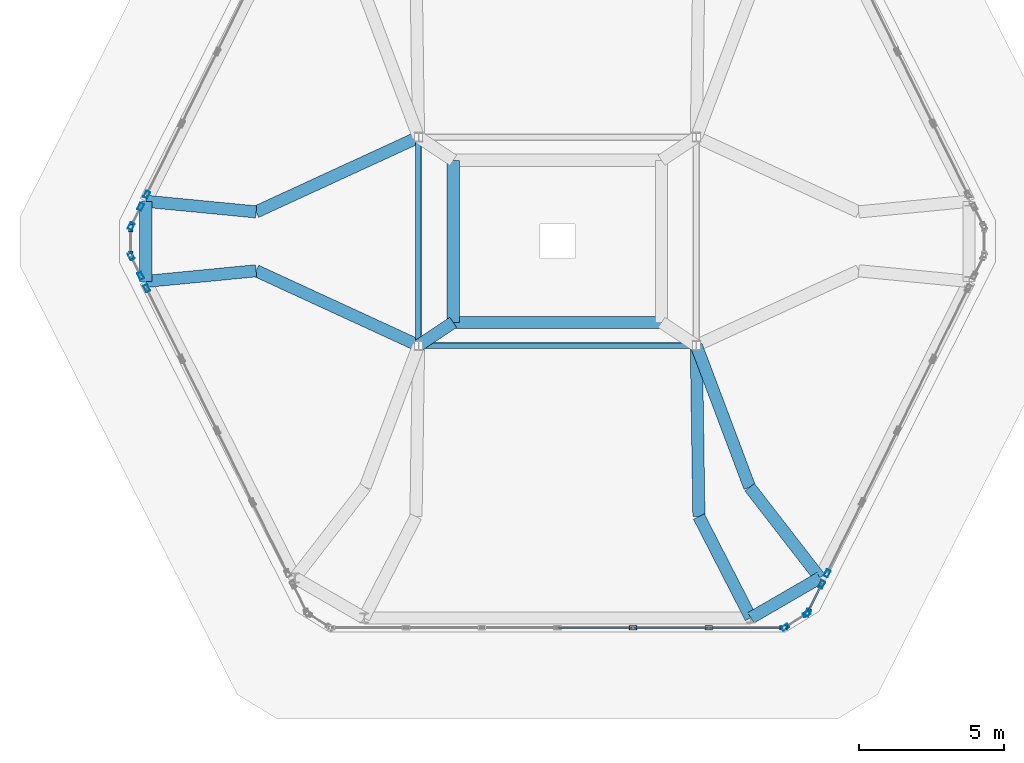
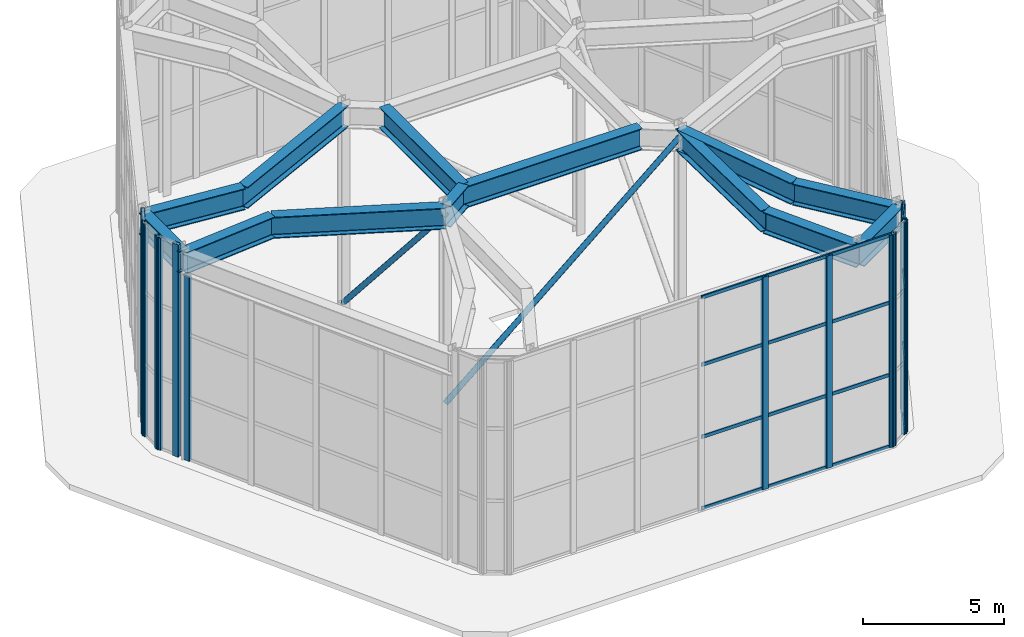
# One storey, part 3 of 10: 34 members, 13 beams, 9 elements without a shape of their own.
"""IFC4 building model written with IfcOpenShell, lengths in metres."""

from ifc_helpers import new_model, si_unit, direction, frame, origin, origin_2d, place, context, subcontext, project, spatial, hollow_rectangle, hollow_circle, i_section, extrude, material, layer, layer_set, material_profile, profile_set, type_object, element, aggregate, save


model = new_model("IFC4")

# Units and contexts
model_context = context("Model", 3, precision=1e-05, world=origin(), true_north=direction((0.0, 1.0)))
body_context = subcontext(model_context, "Body", "Model", "MODEL_VIEW")
ifc_project = project(units=[si_unit("LENGTHUNIT", "METRE"), si_unit("AREAUNIT", "SQUARE_METRE"), si_unit("VOLUMEUNIT", "CUBIC_METRE"), si_unit("PLANEANGLEUNIT", "RADIAN"), si_unit("MASSUNIT", "GRAM", prefix="KILO")], contexts=[model_context])

# Site, building, storey
site_placement = place(None, origin())
site = spatial("IfcSite", under=ifc_project, at=site_placement, CompositionType="ELEMENT")
building_placement = place(site_placement, origin())
building = spatial("IfcBuilding", under=site, at=building_placement, Name="Cinnabar Lancet Tower", CompositionType="ELEMENT")
storey_placement = place(building_placement, frame((0.0, 0.0, 314.675048828125)))
storey = spatial("IfcBuildingStorey", under=building, at=storey_placement, Name="L81", CompositionType="ELEMENT", Elevation=314.675048828125)

# Curtain wall, members
ifc_material_1 = material(Name="Thermally broken bronze-anodized aluminium and low-E glass", Category="aluminium")
ifc_layer = layer(ifc_material_1, 0.179931640625)
ifc_layer_set = layer_set([ifc_layer], Name="Thermally broken bronze-anodized aluminium and low-E glass")
curtain_wall_type = type_object("IfcCurtainWallType", Name="ENV-CW-SYS-05", PredefinedType="NOTDEFINED", material=ifc_layer_set)
curtain_wall_1_placement = place(storey_placement, origin())
curtain_wall_1 = element("IfcCurtainWall", 1, at=curtain_wall_1_placement, inside=storey, type_object=curtain_wall_type, Name="L81 Faceted Lancet Crown Curtain Wall 2", PredefinedType="NOTDEFINED")
ifc_material_2 = material(Name="Anodized architectural aluminium 6063-T6", Category="aluminium")
ifc_material_profile_1 = material_profile(ifc_material_2, hollow_rectangle(XDim=0.14990234375, YDim=0.25, WallThickness=0.010009765625, InnerFilletRadius=0.0048828125, OuterFilletRadius=0.014892578125, at=origin_2d()), Name="RHS 250x150x10")
ifc_profile_set_1 = profile_set([ifc_material_profile_1], Name="Anodized architectural aluminium 6063-T6")
member_type_1 = type_object("IfcMemberType", Name="ENV-CW-MUL-260", PredefinedType="MULLION", material=ifc_profile_set_1)
member_1_placement = place(storey_placement, frame((35.0146484375, 12.449951171875, 0.0), z_axis=(0.0, 0.0, 1.0), x_axis=(0.0, 1.0, 0.0)))
member_1 = element("IfcMember", 2, at=member_1_placement, type_object=member_type_1, Name="CW-05 mullion 5", PredefinedType="MULLION", context=body_context, shape_type="SweptSolid", body=[
    extrude(hollow_rectangle(XDim=0.14990234375, YDim=0.25, WallThickness=0.010009765625, InnerFilletRadius=0.0048828125, OuterFilletRadius=0.014892578125, at=origin_2d()), origin(), (0.0, 0.0, 1.0), 9.175048828125),
])
member_2_placement = place(storey_placement, frame((37.62939453125, 12.449951171875, 0.0), z_axis=(0.0, 0.0, 1.0), x_axis=(0.0, 1.0, 0.0)))
member_2 = element("IfcMember", 3, at=member_2_placement, type_object=member_type_1, Name="CW-05 mullion 6", PredefinedType="MULLION", context=body_context, shape_type="SweptSolid", body=[
    extrude(hollow_rectangle(XDim=0.14990234375, YDim=0.25, WallThickness=0.010009765625, InnerFilletRadius=0.0048828125, OuterFilletRadius=0.014892578125, at=origin_2d()), origin(), (0.0, 0.0, 1.0), 9.175048828125),
])
member_3_placement = place(storey_placement, frame((40.214111328125, 12.449951171875, 0.0), z_axis=(0.0, 0.0, 1.0), x_axis=(0.0, 1.0, 0.0)))
member_3 = element("IfcMember", 4, at=member_3_placement, type_object=member_type_1, Name="CW-05 mullion 7", PredefinedType="MULLION", context=body_context, shape_type="SweptSolid", body=[
    extrude(hollow_rectangle(XDim=0.14990234375, YDim=0.25, WallThickness=0.010009765625, InnerFilletRadius=0.0048828125, OuterFilletRadius=0.014892578125, at=origin_2d()), origin(), (0.0, 0.0, 1.0), 9.175048828125),
])

curtain_wall_2_placement = place(storey_placement, origin())
curtain_wall_2 = element("IfcCurtainWall", 5, at=curtain_wall_2_placement, inside=storey, type_object=curtain_wall_type, Name="L81 Faceted Lancet Crown Curtain Wall 3", PredefinedType="NOTDEFINED")
member_4_placement = place(storey_placement, frame((40.26953125, 12.4658203125, 0.0), z_axis=(0.0, 0.0, 1.0), x_axis=(-0.527975874925, 0.849259368802, 0.0)))
member_4 = element("IfcMember", 6, at=member_4_placement, type_object=member_type_1, Name="CW-05 mullion 1", PredefinedType="MULLION", context=body_context, shape_type="SweptSolid", body=[
    extrude(hollow_rectangle(XDim=0.14990234375, YDim=0.25, WallThickness=0.010009765625, InnerFilletRadius=0.0048828125, OuterFilletRadius=0.014892578125, at=origin_2d()), origin(), (0.0, 0.0, 1.0), 9.175048828125),
])
member_5_placement = place(storey_placement, frame((41.011474609375, 12.92724609375, 0.0), z_axis=(0.0, 0.0, 1.0), x_axis=(-0.527975874925, 0.849259368802, 0.0)))
member_5 = element("IfcMember", 7, at=member_5_placement, type_object=member_type_1, Name="CW-05 mullion 2", PredefinedType="MULLION", context=body_context, shape_type="SweptSolid", body=[
    extrude(hollow_rectangle(XDim=0.14990234375, YDim=0.25, WallThickness=0.010009765625, InnerFilletRadius=0.0048828125, OuterFilletRadius=0.014892578125, at=origin_2d()), origin(), (0.0, 0.0, 1.0), 9.175048828125),
])
aggregate(curtain_wall_2, [member_4, member_5])

curtain_wall_3_placement = place(storey_placement, origin())
curtain_wall_3 = element("IfcCurtainWall", 8, at=curtain_wall_3_placement, inside=storey, type_object=curtain_wall_type, Name="L81 Faceted Lancet Crown Curtain Wall 4", PredefinedType="NOTDEFINED")
member_6_placement = place(storey_placement, frame((41.05029296875, 12.969970703125, 0.0), z_axis=(0.0, 0.0, 1.0), x_axis=(-0.896342772424, 0.443361742062, 0.0)))
member_6 = element("IfcMember", 9, at=member_6_placement, type_object=member_type_1, Name="CW-05 mullion 1", PredefinedType="MULLION", context=body_context, shape_type="SweptSolid", body=[
    extrude(hollow_rectangle(XDim=0.14990234375, YDim=0.25, WallThickness=0.010009765625, InnerFilletRadius=0.0048828125, OuterFilletRadius=0.014892578125, at=origin_2d()), origin(), (0.0, 0.0, 1.0), 9.175048828125),
])
member_7_placement = place(storey_placement, frame((41.53076171875, 13.941162109375, 0.0), z_axis=(0.0, 0.0, 1.0), x_axis=(-0.896342772424, 0.443361742062, 0.0)))
member_7 = element("IfcMember", 10, at=member_7_placement, type_object=member_type_1, Name="CW-05 mullion 2", PredefinedType="MULLION", context=body_context, shape_type="SweptSolid", body=[
    extrude(hollow_rectangle(XDim=0.14990234375, YDim=0.25, WallThickness=0.010009765625, InnerFilletRadius=0.0048828125, OuterFilletRadius=0.014892578125, at=origin_2d()), origin(), (0.0, 0.0, 1.0), 9.175048828125),
])

# Curtain wall, member
curtain_wall_4_placement = place(storey_placement, origin())
curtain_wall_4 = element("IfcCurtainWall", 11, at=curtain_wall_4_placement, inside=storey, type_object=curtain_wall_type, Name="L81 Faceted Lancet Crown Curtain Wall 5", PredefinedType="NOTDEFINED")
member_8_placement = place(storey_placement, frame((41.72021484375, 14.325927734375, 0.0), z_axis=(0.0, 0.0, 1.0), x_axis=(-0.896551648599, 0.442939207335, 0.0)))
member_8 = element("IfcMember", 12, at=member_8_placement, type_object=member_type_1, Name="CW-05 mullion 1", PredefinedType="MULLION", context=body_context, shape_type="SweptSolid", body=[
    extrude(hollow_rectangle(XDim=0.14990234375, YDim=0.25, WallThickness=0.010009765625, InnerFilletRadius=0.0048828125, OuterFilletRadius=0.014892578125, at=origin_2d()), origin(), (0.0, 0.0, 1.0), 7.993896484375),
])
aggregate(curtain_wall_4, [member_8])

curtain_wall_5_placement = place(storey_placement, origin())
curtain_wall_5 = element("IfcCurtainWall", 13, at=curtain_wall_5_placement, inside=storey, type_object=curtain_wall_type, Name="L81 Faceted Lancet Crown Curtain Wall 15", PredefinedType="NOTDEFINED")
member_9_placement = place(storey_placement, frame((18.209228515625, 27.416015625, 0.0), z_axis=(0.0, 0.0, 1.0), x_axis=(0.896551648599, -0.442939207335, 0.0)))
member_9 = element("IfcMember", 14, at=member_9_placement, type_object=member_type_1, Name="CW-05 mullion 5", PredefinedType="MULLION", context=body_context, shape_type="SweptSolid", body=[
    extrude(hollow_rectangle(XDim=0.14990234375, YDim=0.25, WallThickness=0.010009765625, InnerFilletRadius=0.0048828125, OuterFilletRadius=0.014892578125, at=origin_2d()), origin(), (0.0, 0.0, 1.0), 7.993896484375),
])
aggregate(curtain_wall_5, [member_9])

# Curtain wall, members
curtain_wall_6_placement = place(storey_placement, origin())
curtain_wall_6 = element("IfcCurtainWall", 15, at=curtain_wall_6_placement, inside=storey, type_object=curtain_wall_type, Name="L81 Faceted Lancet Crown Curtain Wall 16", PredefinedType="NOTDEFINED")
member_10_placement = place(storey_placement, frame((18.000732421875, 26.9931640625, 0.0), z_axis=(0.0, 0.0, 1.0), x_axis=(0.89663617767, -0.442768071222, 0.0)))
member_10 = element("IfcMember", 16, at=member_10_placement, type_object=member_type_1, Name="CW-05 mullion 1", PredefinedType="MULLION", context=body_context, shape_type="SweptSolid", body=[
    extrude(hollow_rectangle(XDim=0.14990234375, YDim=0.25, WallThickness=0.010009765625, InnerFilletRadius=0.0048828125, OuterFilletRadius=0.014892578125, at=origin_2d()), origin(), (0.0, 0.0, 1.0), 9.175048828125),
])
member_11_placement = place(storey_placement, frame((17.668212890625, 26.31982421875, 0.0), z_axis=(0.0, 0.0, 1.0), x_axis=(0.89663617767, -0.442768071222, 0.0)))
member_11 = element("IfcMember", 17, at=member_11_placement, type_object=member_type_1, Name="CW-05 mullion 2", PredefinedType="MULLION", context=body_context, shape_type="SweptSolid", body=[
    extrude(hollow_rectangle(XDim=0.14990234375, YDim=0.25, WallThickness=0.010009765625, InnerFilletRadius=0.0048828125, OuterFilletRadius=0.014892578125, at=origin_2d()), origin(), (0.0, 0.0, 1.0), 9.175048828125),
])
aggregate(curtain_wall_6, [member_10, member_11])

curtain_wall_7_placement = place(storey_placement, origin())
curtain_wall_7 = element("IfcCurtainWall", 18, at=curtain_wall_7_placement, inside=storey, type_object=curtain_wall_type, Name="L81 Faceted Lancet Crown Curtain Wall 17", PredefinedType="NOTDEFINED")
member_12_placement = place(storey_placement, frame((17.655029296875, 26.262939453125, 0.0), z_axis=(0.0, 0.0, 1.0), x_axis=(1.0, 0.0, 0.0)))
member_12 = element("IfcMember", 19, at=member_12_placement, type_object=member_type_1, Name="CW-05 mullion 1", PredefinedType="MULLION", context=body_context, shape_type="SweptSolid", body=[
    extrude(hollow_rectangle(XDim=0.14990234375, YDim=0.25, WallThickness=0.010009765625, InnerFilletRadius=0.0048828125, OuterFilletRadius=0.014892578125, at=origin_2d()), origin(), (0.0, 0.0, 1.0), 9.175048828125),
])
member_13_placement = place(storey_placement, frame((17.655029296875, 25.3369140625, 0.0), z_axis=(0.0, 0.0, 1.0), x_axis=(1.0, 0.0, 0.0)))
member_13 = element("IfcMember", 20, at=member_13_placement, type_object=member_type_1, Name="CW-05 mullion 2", PredefinedType="MULLION", context=body_context, shape_type="SweptSolid", body=[
    extrude(hollow_rectangle(XDim=0.14990234375, YDim=0.25, WallThickness=0.010009765625, InnerFilletRadius=0.0048828125, OuterFilletRadius=0.014892578125, at=origin_2d()), origin(), (0.0, 0.0, 1.0), 9.175048828125),
])
aggregate(curtain_wall_7, [member_12, member_13])

curtain_wall_8_placement = place(storey_placement, origin())
curtain_wall_8 = element("IfcCurtainWall", 21, at=curtain_wall_8_placement, inside=storey, type_object=curtain_wall_type, Name="L81 Faceted Lancet Crown Curtain Wall 18", PredefinedType="NOTDEFINED")
member_14_placement = place(storey_placement, frame((17.668212890625, 25.280029296875, 0.0), z_axis=(0.0, 0.0, 1.0), x_axis=(0.89663617767, 0.442768071222, 0.0)))
member_14 = element("IfcMember", 22, at=member_14_placement, type_object=member_type_1, Name="CW-05 mullion 1", PredefinedType="MULLION", context=body_context, shape_type="SweptSolid", body=[
    extrude(hollow_rectangle(XDim=0.14990234375, YDim=0.25, WallThickness=0.010009765625, InnerFilletRadius=0.0048828125, OuterFilletRadius=0.014892578125, at=origin_2d()), origin(), (0.0, 0.0, 1.0), 9.175048828125),
])
member_15_placement = place(storey_placement, frame((18.000732421875, 24.60693359375, 0.0), z_axis=(0.0, 0.0, 1.0), x_axis=(0.89663617767, 0.442768071222, 0.0)))
member_15 = element("IfcMember", 23, at=member_15_placement, type_object=member_type_1, Name="CW-05 mullion 2", PredefinedType="MULLION", context=body_context, shape_type="SweptSolid", body=[
    extrude(hollow_rectangle(XDim=0.14990234375, YDim=0.25, WallThickness=0.010009765625, InnerFilletRadius=0.0048828125, OuterFilletRadius=0.014892578125, at=origin_2d()), origin(), (0.0, 0.0, 1.0), 9.175048828125),
])
aggregate(curtain_wall_8, [member_14, member_15])

# Curtain wall, member
curtain_wall_9_placement = place(storey_placement, origin())
curtain_wall_9 = element("IfcCurtainWall", 24, at=curtain_wall_9_placement, inside=storey, type_object=curtain_wall_type, Name="L81 Faceted Lancet Crown Curtain Wall 19", PredefinedType="NOTDEFINED")
member_16_placement = place(storey_placement, frame((18.209228515625, 24.18408203125, 0.0), z_axis=(0.0, 0.0, 1.0), x_axis=(0.896551648599, 0.442939207335, 0.0)))
member_16 = element("IfcMember", 25, at=member_16_placement, type_object=member_type_1, Name="CW-05 mullion 1", PredefinedType="MULLION", context=body_context, shape_type="SweptSolid", body=[
    extrude(hollow_rectangle(XDim=0.14990234375, YDim=0.25, WallThickness=0.010009765625, InnerFilletRadius=0.0048828125, OuterFilletRadius=0.014892578125, at=origin_2d()), origin(), (0.0, 0.0, 1.0), 7.993896484375),
])
aggregate(curtain_wall_9, [member_16])

# Member
ifc_material_3 = material(Name="Anodized architectural aluminium 6063-T6", Category="aluminium")
ifc_material_profile_2 = material_profile(ifc_material_3, hollow_rectangle(XDim=0.06494140625, YDim=0.14990234375, WallThickness=0.00390625, InnerFilletRadius=0.001953125, OuterFilletRadius=0.006103515625, at=origin_2d()), Name="CW-TRN 150x65x4")
ifc_profile_set_2 = profile_set([ifc_material_profile_2], Name="Anodized architectural aluminium 6063-T6")
member_type_2 = type_object("IfcMemberType", Name="ENV-CW-TRN-160", PredefinedType="USERDEFINED", material=ifc_profile_set_2)
member_17_placement = place(storey_placement, frame((32.429931640625, 12.449951171875, 0.030029296875), z_axis=(1.0, 0.0, 0.0), x_axis=(0.0, 1.0, 0.0)))
member_17 = element("IfcMember", 26, at=member_17_placement, type_object=member_type_2, Name="CW-05 transom 4.1", ObjectType="TRANSOM", PredefinedType="USERDEFINED", context=body_context, shape_type="SweptSolid", body=[
    extrude(hollow_rectangle(XDim=0.06494140625, YDim=0.14990234375, WallThickness=0.00390625, InnerFilletRadius=0.001953125, OuterFilletRadius=0.006103515625, at=origin_2d()), origin(), (0.0, 0.0, 1.0), 2.5546875),
])

member_18_placement = place(storey_placement, frame((32.429931640625, 12.449951171875, 3.119873046875), z_axis=(1.0, 0.0, 0.0), x_axis=(0.0, 1.0, 0.0)))
member_18 = element("IfcMember", 27, at=member_18_placement, type_object=member_type_2, Name="CW-05 transom 4.2", ObjectType="TRANSOM", PredefinedType="USERDEFINED", context=body_context, shape_type="SweptSolid", body=[
    extrude(hollow_rectangle(XDim=0.06494140625, YDim=0.14990234375, WallThickness=0.00390625, InnerFilletRadius=0.001953125, OuterFilletRadius=0.006103515625, at=origin_2d()), origin(), (0.0, 0.0, 1.0), 2.5546875),
])

member_19_placement = place(storey_placement, frame((32.429931640625, 12.449951171875, 6.239013671875), z_axis=(1.0, 0.0, 0.0), x_axis=(0.0, 1.0, 0.0)))
member_19 = element("IfcMember", 28, at=member_19_placement, type_object=member_type_2, Name="CW-05 transom 4.3", ObjectType="TRANSOM", PredefinedType="USERDEFINED", context=body_context, shape_type="SweptSolid", body=[
    extrude(hollow_rectangle(XDim=0.06494140625, YDim=0.14990234375, WallThickness=0.00390625, InnerFilletRadius=0.001953125, OuterFilletRadius=0.006103515625, at=origin_2d()), origin(), (0.0, 0.0, 1.0), 2.5546875),
])

member_20_placement = place(storey_placement, frame((32.429931640625, 12.449951171875, 9.14501953125), z_axis=(1.0, 0.0, 0.0), x_axis=(0.0, 1.0, 0.0)))
member_20 = element("IfcMember", 29, at=member_20_placement, type_object=member_type_2, Name="CW-05 transom 4.4", ObjectType="TRANSOM", PredefinedType="USERDEFINED", context=body_context, shape_type="SweptSolid", body=[
    extrude(hollow_rectangle(XDim=0.06494140625, YDim=0.14990234375, WallThickness=0.00390625, InnerFilletRadius=0.001953125, OuterFilletRadius=0.006103515625, at=origin_2d()), origin(), (0.0, 0.0, 1.0), 2.5546875),
])

member_21_placement = place(storey_placement, frame((35.044677734375, 12.449951171875, 0.030029296875), z_axis=(1.0, 0.0, 0.0), x_axis=(0.0, 1.0, 0.0)))
member_21 = element("IfcMember", 30, at=member_21_placement, type_object=member_type_2, Name="CW-05 transom 5.1", ObjectType="TRANSOM", PredefinedType="USERDEFINED", context=body_context, shape_type="SweptSolid", body=[
    extrude(hollow_rectangle(XDim=0.06494140625, YDim=0.14990234375, WallThickness=0.00390625, InnerFilletRadius=0.001953125, OuterFilletRadius=0.006103515625, at=origin_2d()), origin(), (0.0, 0.0, 1.0), 2.5546875),
])

member_22_placement = place(storey_placement, frame((35.044677734375, 12.449951171875, 3.119873046875), z_axis=(1.0, 0.0, 0.0), x_axis=(0.0, 1.0, 0.0)))
member_22 = element("IfcMember", 31, at=member_22_placement, type_object=member_type_2, Name="CW-05 transom 5.2", ObjectType="TRANSOM", PredefinedType="USERDEFINED", context=body_context, shape_type="SweptSolid", body=[
    extrude(hollow_rectangle(XDim=0.06494140625, YDim=0.14990234375, WallThickness=0.00390625, InnerFilletRadius=0.001953125, OuterFilletRadius=0.006103515625, at=origin_2d()), origin(), (0.0, 0.0, 1.0), 2.5546875),
])

member_23_placement = place(storey_placement, frame((35.044677734375, 12.449951171875, 6.239013671875), z_axis=(1.0, 0.0, 0.0), x_axis=(0.0, 1.0, 0.0)))
member_23 = element("IfcMember", 32, at=member_23_placement, type_object=member_type_2, Name="CW-05 transom 5.3", ObjectType="TRANSOM", PredefinedType="USERDEFINED", context=body_context, shape_type="SweptSolid", body=[
    extrude(hollow_rectangle(XDim=0.06494140625, YDim=0.14990234375, WallThickness=0.00390625, InnerFilletRadius=0.001953125, OuterFilletRadius=0.006103515625, at=origin_2d()), origin(), (0.0, 0.0, 1.0), 2.5546875),
])

member_24_placement = place(storey_placement, frame((35.044677734375, 12.449951171875, 9.14501953125), z_axis=(1.0, 0.0, 0.0), x_axis=(0.0, 1.0, 0.0)))
member_24 = element("IfcMember", 33, at=member_24_placement, type_object=member_type_2, Name="CW-05 transom 5.4", ObjectType="TRANSOM", PredefinedType="USERDEFINED", context=body_context, shape_type="SweptSolid", body=[
    extrude(hollow_rectangle(XDim=0.06494140625, YDim=0.14990234375, WallThickness=0.00390625, InnerFilletRadius=0.001953125, OuterFilletRadius=0.006103515625, at=origin_2d()), origin(), (0.0, 0.0, 1.0), 2.5546875),
])

member_25_placement = place(storey_placement, frame((37.659423828125, 12.449951171875, 0.030029296875), z_axis=(1.0, 0.0, 0.0), x_axis=(0.0, 1.0, 0.0)))
member_25 = element("IfcMember", 34, at=member_25_placement, type_object=member_type_2, Name="CW-05 transom 6.1", ObjectType="TRANSOM", PredefinedType="USERDEFINED", context=body_context, shape_type="SweptSolid", body=[
    extrude(hollow_rectangle(XDim=0.06494140625, YDim=0.14990234375, WallThickness=0.00390625, InnerFilletRadius=0.001953125, OuterFilletRadius=0.006103515625, at=origin_2d()), origin(), (0.0, 0.0, 1.0), 2.524658203125),
])

member_26_placement = place(storey_placement, frame((37.659423828125, 12.449951171875, 3.119873046875), z_axis=(1.0, 0.0, 0.0), x_axis=(0.0, 1.0, 0.0)))
member_26 = element("IfcMember", 35, at=member_26_placement, type_object=member_type_2, Name="CW-05 transom 6.2", ObjectType="TRANSOM", PredefinedType="USERDEFINED", context=body_context, shape_type="SweptSolid", body=[
    extrude(hollow_rectangle(XDim=0.06494140625, YDim=0.14990234375, WallThickness=0.00390625, InnerFilletRadius=0.001953125, OuterFilletRadius=0.006103515625, at=origin_2d()), origin(), (0.0, 0.0, 1.0), 2.524658203125),
])

member_27_placement = place(storey_placement, frame((37.659423828125, 12.449951171875, 6.239013671875), z_axis=(1.0, 0.0, 0.0), x_axis=(0.0, 1.0, 0.0)))
member_27 = element("IfcMember", 36, at=member_27_placement, type_object=member_type_2, Name="CW-05 transom 6.3", ObjectType="TRANSOM", PredefinedType="USERDEFINED", context=body_context, shape_type="SweptSolid", body=[
    extrude(hollow_rectangle(XDim=0.06494140625, YDim=0.14990234375, WallThickness=0.00390625, InnerFilletRadius=0.001953125, OuterFilletRadius=0.006103515625, at=origin_2d()), origin(), (0.0, 0.0, 1.0), 2.524658203125),
])

member_28_placement = place(storey_placement, frame((37.659423828125, 12.449951171875, 9.14501953125), z_axis=(1.0, 0.0, 0.0), x_axis=(0.0, 1.0, 0.0)))
member_28 = element("IfcMember", 37, at=member_28_placement, type_object=member_type_2, Name="CW-05 transom 6.4", ObjectType="TRANSOM", PredefinedType="USERDEFINED", context=body_context, shape_type="SweptSolid", body=[
    extrude(hollow_rectangle(XDim=0.06494140625, YDim=0.14990234375, WallThickness=0.00390625, InnerFilletRadius=0.001953125, OuterFilletRadius=0.006103515625, at=origin_2d()), origin(), (0.0, 0.0, 1.0), 2.524658203125),
])

aggregate(curtain_wall_1, [member_1, member_2, member_3, member_17, member_18, member_19, member_20, member_21, member_22, member_23, member_24, member_25, member_26, member_27, member_28])

member_29_placement = place(storey_placement, frame((41.063720703125, 12.996826171875, 0.030029296875), z_axis=(0.443201685678, 0.896421923991, 0.0), x_axis=(-0.896421923991, 0.443201685678, 0.0)))
member_29 = element("IfcMember", 38, at=member_29_placement, type_object=member_type_2, Name="CW-05 transom 1.1", ObjectType="TRANSOM", PredefinedType="USERDEFINED", context=body_context, shape_type="SweptSolid", body=[
    extrude(hollow_rectangle(XDim=0.06494140625, YDim=0.14990234375, WallThickness=0.00390625, InnerFilletRadius=0.001953125, OuterFilletRadius=0.006103515625, at=origin_2d()), origin(), (0.0, 0.0, 1.0), 1.0234375),
])

member_30_placement = place(storey_placement, frame((41.063720703125, 12.996826171875, 3.119873046875), z_axis=(0.443201685678, 0.896421923991, 0.0), x_axis=(-0.896421923991, 0.443201685678, 0.0)))
member_30 = element("IfcMember", 39, at=member_30_placement, type_object=member_type_2, Name="CW-05 transom 1.2", ObjectType="TRANSOM", PredefinedType="USERDEFINED", context=body_context, shape_type="SweptSolid", body=[
    extrude(hollow_rectangle(XDim=0.06494140625, YDim=0.14990234375, WallThickness=0.00390625, InnerFilletRadius=0.001953125, OuterFilletRadius=0.006103515625, at=origin_2d()), origin(), (0.0, 0.0, 1.0), 1.0234375),
])

member_31_placement = place(storey_placement, frame((41.063720703125, 12.996826171875, 6.239013671875), z_axis=(0.443201685678, 0.896421923991, 0.0), x_axis=(-0.896421923991, 0.443201685678, 0.0)))
member_31 = element("IfcMember", 40, at=member_31_placement, type_object=member_type_2, Name="CW-05 transom 1.3", ObjectType="TRANSOM", PredefinedType="USERDEFINED", context=body_context, shape_type="SweptSolid", body=[
    extrude(hollow_rectangle(XDim=0.06494140625, YDim=0.14990234375, WallThickness=0.00390625, InnerFilletRadius=0.001953125, OuterFilletRadius=0.006103515625, at=origin_2d()), origin(), (0.0, 0.0, 1.0), 1.0234375),
])

member_32_placement = place(storey_placement, frame((41.063720703125, 12.996826171875, 9.14501953125), z_axis=(0.443201685678, 0.896421923991, 0.0), x_axis=(-0.896421923991, 0.443201685678, 0.0)))
member_32 = element("IfcMember", 41, at=member_32_placement, type_object=member_type_2, Name="CW-05 transom 1.4", ObjectType="TRANSOM", PredefinedType="USERDEFINED", context=body_context, shape_type="SweptSolid", body=[
    extrude(hollow_rectangle(XDim=0.06494140625, YDim=0.14990234375, WallThickness=0.00390625, InnerFilletRadius=0.001953125, OuterFilletRadius=0.006103515625, at=origin_2d()), origin(), (0.0, 0.0, 1.0), 1.0234375),
])

aggregate(curtain_wall_3, [member_6, member_7, member_29, member_30, member_31, member_32])

# Beams
ifc_material_4 = material(Name="Structural steel S460", Category="steel")
ifc_material_profile_3 = material_profile(ifc_material_4, i_section(OverallWidth=0.42041015625, OverallDepth=0.9208984375, WebThickness=0.021484375, FlangeThickness=0.03662109375, FilletRadius=0.024169921875, at=origin_2d()), Name="UKB 914x419x388")
ifc_profile_set_3 = profile_set([ifc_material_profile_3], Name="Structural steel S460")
beam_type = type_object("IfcBeamType", Name="STR-BM-UKB914-388", PredefinedType="BEAM", material=ifc_profile_set_3)
beam_1_placement = place(storey_placement, frame((39.0830078125, 12.7890625, 8.4638671875), z_axis=(0.865159484489, 0.501496825911, 0.0), x_axis=(-0.501496825911, 0.865159484489, 0.0)))
element("IfcBeam", 42, at=beam_1_placement, inside=storey, type_object=beam_type, Name="L82 Setback Outer Ring Girder 2", PredefinedType="BEAM", context=body_context, shape_type="SweptSolid", body=[
    extrude(i_section(OverallWidth=0.42041015625, OverallDepth=0.9208984375, WebThickness=0.021484375, FlangeThickness=0.03662109375, FilletRadius=0.024169921875, at=origin_2d()), origin(), (0.0, 0.0, 1.0), 2.7578125),
])
beam_2_placement = place(storey_placement, frame((18.174072265625, 27.18505859375, 8.4638671875), z_axis=(0.0, -1.0, 0.0), x_axis=(1.0, 0.0, 0.0)))
element("IfcBeam", 43, at=beam_2_placement, inside=storey, type_object=beam_type, Name="L82 Setback Outer Ring Girder 10", PredefinedType="BEAM", context=body_context, shape_type="SweptSolid", body=[
    extrude(i_section(OverallWidth=0.42041015625, OverallDepth=0.9208984375, WebThickness=0.021484375, FlangeThickness=0.03662109375, FilletRadius=0.024169921875, at=origin_2d()), origin(), (0.0, 0.0, 1.0), 2.77001953125),
])
beam_3_placement = place(storey_placement, frame((39.0830078125, 12.7890625, 8.4638671875), z_axis=(-0.456326728428, 0.889812293083, 0.0), x_axis=(-0.889812293083, -0.456326728428, 0.0)))
element("IfcBeam", 44, at=beam_3_placement, inside=storey, type_object=beam_type, Name="L82 Crown Setback Strut Girder 2", PredefinedType="BEAM", context=body_context, shape_type="SweptSolid", body=[
    extrude(i_section(OverallWidth=0.42041015625, OverallDepth=0.9208984375, WebThickness=0.021484375, FlangeThickness=0.03662109375, FilletRadius=0.024169921875, at=origin_2d()), origin(), (0.0, 0.0, 1.0), 3.933349609375),
])
beam_4_placement = place(storey_placement, frame((37.2880859375, 16.2890625, 8.4638671875), z_axis=(-0.014908920613, 0.999888855867, 0.0), x_axis=(-0.999888855867, -0.014908920613, 0.0)))
element("IfcBeam", 45, at=beam_4_placement, inside=storey, type_object=beam_type, Name="L82 Crown Setback Radial Girder 2", PredefinedType="BEAM", context=body_context, shape_type="SweptSolid", body=[
    extrude(i_section(OverallWidth=0.42041015625, OverallDepth=0.9208984375, WebThickness=0.021484375, FlangeThickness=0.03662109375, FilletRadius=0.024169921875, at=origin_2d()), origin(), (0.0, 0.0, 1.0), 5.91162109375),
])
beam_5_placement = place(storey_placement, frame((41.468994140625, 14.172119140625, 8.4638671875), z_axis=(-0.612390689814, 0.790555275126, 0.0), x_axis=(-0.790555275126, -0.612390689814, 0.0)))
element("IfcBeam", 46, at=beam_5_placement, inside=storey, type_object=beam_type, Name="L82 Crown Setback Strut Girder 3", PredefinedType="BEAM", context=body_context, shape_type="SweptSolid", body=[
    extrude(i_section(OverallWidth=0.42041015625, OverallDepth=0.9208984375, WebThickness=0.021484375, FlangeThickness=0.03662109375, FilletRadius=0.024169921875, at=origin_2d()), origin(), (0.0, 0.0, 1.0), 3.961669921875),
])
beam_6_placement = place(storey_placement, frame((39.04296875, 17.303955078125, 8.4638671875), z_axis=(-0.35229946294, 0.935887326772, 0.0), x_axis=(-0.935887326772, -0.35229946294, 0.0)))
element("IfcBeam", 47, at=beam_6_placement, inside=storey, type_object=beam_type, Name="L82 Crown Setback Radial Girder 3", PredefinedType="BEAM", context=body_context, shape_type="SweptSolid", body=[
    extrude(i_section(OverallWidth=0.42041015625, OverallDepth=0.9208984375, WebThickness=0.021484375, FlangeThickness=0.03662109375, FilletRadius=0.024169921875, at=origin_2d()), origin(), (0.0, 0.0, 1.0), 5.2314453125),
])
beam_7_placement = place(storey_placement, frame((18.174072265625, 27.18505859375, 8.4638671875), z_axis=(0.995375589696, -0.096059541102, 0.0), x_axis=(0.096059541102, 0.995375589696, 0.0)))
element("IfcBeam", 48, at=beam_7_placement, inside=storey, type_object=beam_type, Name="L82 Crown Setback Strut Girder 10", PredefinedType="BEAM", context=body_context, shape_type="SweptSolid", body=[
    extrude(i_section(OverallWidth=0.42041015625, OverallDepth=0.9208984375, WebThickness=0.021484375, FlangeThickness=0.03662109375, FilletRadius=0.024169921875, at=origin_2d()), origin(), (0.0, 0.0, 1.0), 3.832763671875),
])
beam_8_placement = place(storey_placement, frame((21.989013671875, 26.81689453125, 8.4638671875), z_axis=(0.908373072333, 0.418160688565, 0.0), x_axis=(-0.418160688565, 0.908373072333, 0.0)))
element("IfcBeam", 49, at=beam_8_placement, inside=storey, type_object=beam_type, Name="L82 Crown Setback Radial Girder 10", PredefinedType="BEAM", context=body_context, shape_type="SweptSolid", body=[
    extrude(i_section(OverallWidth=0.42041015625, OverallDepth=0.9208984375, WebThickness=0.021484375, FlangeThickness=0.03662109375, FilletRadius=0.024169921875, at=origin_2d()), origin(), (0.0, 0.0, 1.0), 6.177001953125),
])
beam_9_placement = place(storey_placement, frame((18.174072265625, 24.4150390625, 8.4638671875), z_axis=(0.995381678425, 0.095996428349, 0.0), x_axis=(-0.095996428349, 0.995381678425, 0.0)))
element("IfcBeam", 50, at=beam_9_placement, inside=storey, type_object=beam_type, Name="L82 Crown Setback Strut Girder 11", PredefinedType="BEAM", context=body_context, shape_type="SweptSolid", body=[
    extrude(i_section(OverallWidth=0.42041015625, OverallDepth=0.9208984375, WebThickness=0.021484375, FlangeThickness=0.03662109375, FilletRadius=0.024169921875, at=origin_2d()), origin(), (0.0, 0.0, 1.0), 3.832763671875),
])
beam_10_placement = place(storey_placement, frame((21.989013671875, 24.782958984375, 8.4638671875), z_axis=(0.908373072333, -0.418160688565, 0.0), x_axis=(0.418160688565, 0.908373072333, 0.0)))
element("IfcBeam", 51, at=beam_10_placement, inside=storey, type_object=beam_type, Name="L82 Crown Setback Radial Girder 11", PredefinedType="BEAM", context=body_context, shape_type="SweptSolid", body=[
    extrude(i_section(OverallWidth=0.42041015625, OverallDepth=0.9208984375, WebThickness=0.021484375, FlangeThickness=0.03662109375, FilletRadius=0.024169921875, at=origin_2d()), origin(), (0.0, 0.0, 1.0), 6.177001953125),
])
beam_11_placement = place(storey_placement, frame((27.60009765625, 22.199951171875, 8.4638671875), z_axis=(0.832024249935, 0.554739260842, 0.0), x_axis=(-0.554739260842, 0.832024249935, 0.0)))
element("IfcBeam", 52, at=beam_11_placement, inside=storey, type_object=beam_type, Name="L82 Crown Inner Ring Transfer 1", PredefinedType="BEAM", context=body_context, shape_type="SweptSolid", body=[
    extrude(i_section(OverallWidth=0.42041015625, OverallDepth=0.9208984375, WebThickness=0.021484375, FlangeThickness=0.03662109375, FilletRadius=0.024169921875, at=origin_2d()), origin(), (0.0, 0.0, 1.0), 1.442138671875),
])
beam_12_placement = place(storey_placement, frame((28.800048828125, 23.0, 8.4638671875), z_axis=(1.0, 0.0, 0.0), x_axis=(0.0, 1.0, 0.0)))
element("IfcBeam", 53, at=beam_12_placement, inside=storey, type_object=beam_type, Name="L82 Crown Inner Ring Tie 1", PredefinedType="BEAM", context=body_context, shape_type="SweptSolid", body=[
    extrude(i_section(OverallWidth=0.42041015625, OverallDepth=0.9208984375, WebThickness=0.021484375, FlangeThickness=0.03662109375, FilletRadius=0.024169921875, at=origin_2d()), origin(), (0.0, 0.0, 1.0), 7.199951171875),
])
beam_13_placement = place(storey_placement, frame((28.800048828125, 28.60009765625, 8.4638671875), z_axis=(0.0, -1.0, 0.0), x_axis=(1.0, 0.0, 0.0)))
element("IfcBeam", 54, at=beam_13_placement, inside=storey, type_object=beam_type, Name="L82 Crown Inner Ring Tie 4", PredefinedType="BEAM", context=body_context, shape_type="SweptSolid", body=[
    extrude(i_section(OverallWidth=0.42041015625, OverallDepth=0.9208984375, WebThickness=0.021484375, FlangeThickness=0.03662109375, FilletRadius=0.024169921875, at=origin_2d()), origin(), (0.0, 0.0, 1.0), 5.60009765625),
])

# Members
ifc_material_5 = material(Name="Structural steel S460", Category="steel")
ifc_material_profile_4 = material_profile(ifc_material_5, hollow_circle(Radius=0.109619140625, WallThickness=0.010009765625, at=origin_2d()), Name="CHS 219.1x10")
ifc_profile_set_4 = profile_set([ifc_material_profile_4], Name="Structural steel S460")
member_type_3 = type_object("IfcMemberType", Name="STR-MEM-CRN-BRC219", PredefinedType="BRACE", material=ifc_profile_set_4)
member_33_placement = place(storey_placement, frame((27.60009765625, 22.199951171875, 0.349853515625), z_axis=(0.761345173308, 0.0, 0.648346764533), x_axis=(0.0, 1.0, 0.0)))
element("IfcMember", 55, at=member_33_placement, inside=storey, type_object=member_type_3, Name="L81 Crown Lancet Core Brace 1", PredefinedType="BRACE", context=body_context, shape_type="SweptSolid", body=[
    extrude(hollow_circle(Radius=0.109619140625, WallThickness=0.010009765625, at=origin_2d()), origin(), (0.0, 0.0, 1.0), 12.609130859375),
])
member_34_placement = place(storey_placement, frame((27.60009765625, 29.39990234375, 0.349853515625), z_axis=(0.0, -0.660933495554, 0.75044447793), x_axis=(1.0, 0.0, 0.0)))
element("IfcMember", 56, at=member_34_placement, inside=storey, type_object=member_type_3, Name="L81 Crown Lancet Core Brace 4", PredefinedType="BRACE", context=body_context, shape_type="SweptSolid", body=[
    extrude(hollow_circle(Radius=0.109619140625, WallThickness=0.010009765625, at=origin_2d()), origin(), (0.0, 0.0, 1.0), 10.8935546875),
])

save(model, "model.ifc")
